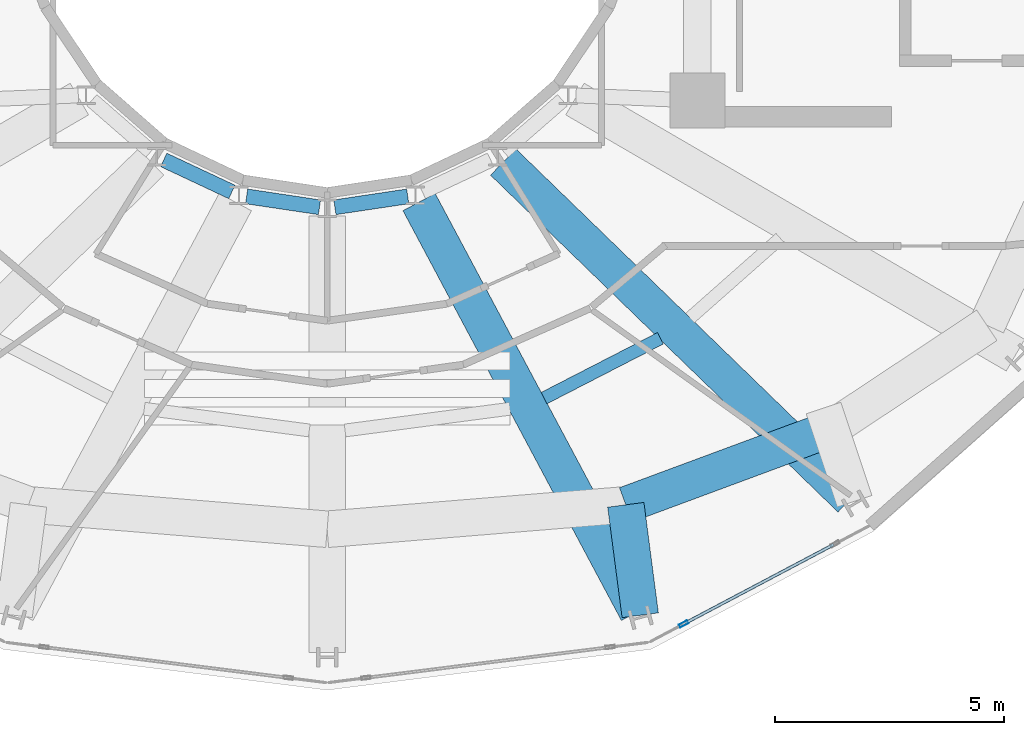
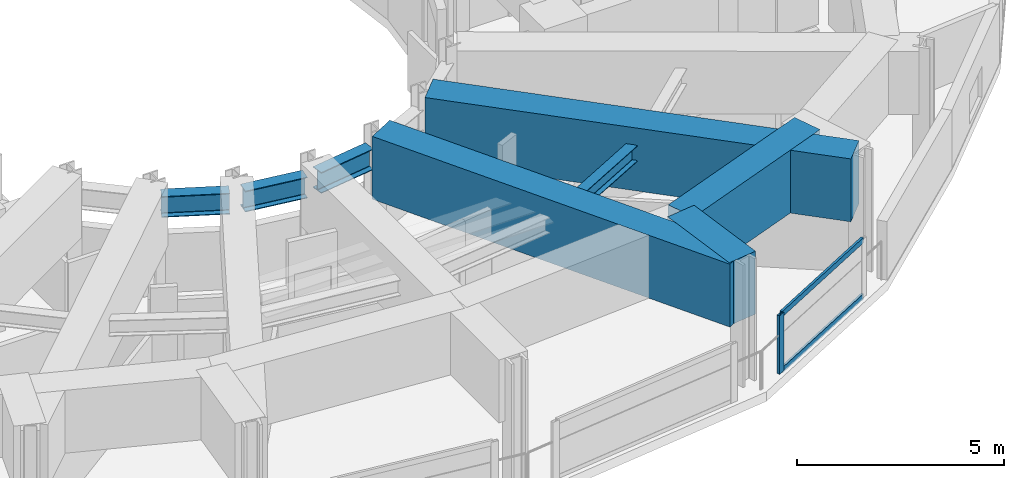
# One storey, part 5 of 21: 8 beams, 3 members, 1 element without a shape of its own.
"""IFC4 building model written with IfcOpenShell, lengths in metres."""

from ifc_helpers import new_model, si_unit, direction, frame, origin, origin_2d, place, context, subcontext, project, spatial, rectangle, hollow_rectangle, i_section, extrude, material, layer, layer_set, material_profile, profile_set, type_object, element, aggregate, save


model = new_model("IFC4")

# Units and contexts
model_context = context("Model", 3, precision=1e-05, world=origin(), true_north=direction((0.0, 1.0)))
body_context = subcontext(model_context, "Body", "Model", "MODEL_VIEW")
ifc_project = project(units=[si_unit("LENGTHUNIT", "METRE"), si_unit("AREAUNIT", "SQUARE_METRE"), si_unit("VOLUMEUNIT", "CUBIC_METRE"), si_unit("PLANEANGLEUNIT", "RADIAN"), si_unit("MASSUNIT", "GRAM", prefix="KILO")], contexts=[model_context])

# Site, building, storey
site_placement = place(None, origin())
site = spatial("IfcSite", under=ifc_project, at=site_placement, CompositionType="ELEMENT")
building_placement = place(site_placement, origin())
building = spatial("IfcBuilding", under=site, at=building_placement, Name="Solvane Sanctuary Tower", CompositionType="ELEMENT")
storey_placement = place(building_placement, frame((0.0, 0.0, 256.800048828125)))
storey = spatial("IfcBuildingStorey", under=building, at=storey_placement, Name="L78", CompositionType="ELEMENT", Elevation=256.800048828125)

# Beams
ifc_material_1 = material(Name="Steel ASTM A992 Grade 50", Category="steel")
ifc_material_profile_1 = material_profile(ifc_material_1, i_section(OverallWidth=0.324951171875, OverallDepth=0.615966796875, WebThickness=0.013916015625, FlangeThickness=0.021484375, FilletRadius=0.01611328125, at=origin_2d()), Name="W24X117")
ifc_profile_set_1 = profile_set([ifc_material_profile_1], Name="Steel ASTM A992 Grade 50")
beam_type_1 = type_object("IfcBeamType", Name="Beam B-RING-IN2 W24X117", PredefinedType="BEAM", material=ifc_profile_set_1)
beam_1_placement = place(storey_placement, frame((28.423828125, 15.60107421875, 2.7900390625), z_axis=(0.905150857291, -0.425090491008, 0.0), x_axis=(0.425090491008, 0.905150857291, 0.0)))
element("IfcBeam", 1, at=beam_1_placement, inside=storey, type_object=beam_type_1, Name="L78 Inner Light-Well Ring Beam IC09-IC10", PredefinedType="BEAM", context=body_context, shape_type="SweptSolid", body=[
    extrude(i_section(OverallWidth=0.324951171875, OverallDepth=0.615966796875, WebThickness=0.013916015625, FlangeThickness=0.021484375, FilletRadius=0.01611328125, at=origin_2d()), origin(), (0.0, 0.0, 1.0), 1.647705078125),
])
for number, where, z_axis, x_axis, name in (
    (2, (30.2373046875, 14.80322265625, 2.7900390625), (0.989039416515, -0.147651727316, 0.0), (0.147651727316, 0.989039416515, 0.0), "L78 Inner Light-Well Ring Beam IC10-IC11"),
    (3, (32.168212890625, 14.565185546875, 2.7900390625), (0.989039416515, 0.147651727316, 0.0), (-0.147651727316, 0.989039416515, 0.0), "L78 Inner Light-Well Ring Beam IC11-IC12"),
):
    element("IfcBeam", number, at=place(storey_placement, frame(where, z_axis=z_axis, x_axis=x_axis)), inside=storey, type_object=beam_type_1, Name=name, PredefinedType="BEAM", context=body_context, shape_type="SweptSolid", body=[
        extrude(i_section(OverallWidth=0.324951171875, OverallDepth=0.615966796875, WebThickness=0.013916015625, FlangeThickness=0.021484375, FilletRadius=0.01611328125, at=origin_2d()), origin(), (0.0, 0.0, 1.0), 1.612060546875),
    ])
ifc_material_profile_2 = material_profile(ifc_material_1, i_section(OverallWidth=0.280029296875, OverallDepth=0.462890625, WebThickness=0.0107421875, FlangeThickness=0.017333984375, FilletRadius=0.013916015625, at=origin_2d()), Name="W18X76")
ifc_profile_set_2 = profile_set([ifc_material_profile_2], Name="Steel ASTM A992 Grade 50")
beam_type_2 = type_object("IfcBeamType", Name="Beam B-SEC-JOIST W18X76", PredefinedType="JOIST", material=ifc_profile_set_2)
beam_2_placement = place(storey_placement, frame((36.744873046875, 10.38916015625, 2.866455078125), z_axis=(0.889218442603, 0.457482853596, 0.0), x_axis=(-0.457482853596, 0.889218442603, 0.0)))
element("IfcBeam", 4, at=beam_2_placement, inside=storey, type_object=beam_type_2, Name="L78 Secondary Circumferential Joist 12-13", PredefinedType="JOIST", context=body_context, shape_type="SweptSolid", body=[
    extrude(i_section(OverallWidth=0.280029296875, OverallDepth=0.462890625, WebThickness=0.0107421875, FlangeThickness=0.017333984375, FilletRadius=0.013916015625, at=origin_2d()), origin(), (0.0, 0.0, 1.0), 2.863525390625),
])
ifc_material_2 = material(Name="Concrete C70/85", Category="concrete")
ifc_material_profile_3 = material_profile(ifc_material_2, rectangle(XDim=0.800048828125, YDim=1.85009765625, at=origin_2d()), Name="RC800X1850")
ifc_profile_set_3 = profile_set([ifc_material_profile_3], Name="Concrete C70/85")
beam_type_3 = type_object("IfcBeamType", Name="Beam B-XFER-BLK RC800X1850", PredefinedType="BEAM", material=ifc_profile_set_3)
beam_3_placement = place(storey_placement, frame((34.0107421875, 14.67822265625, 2.675048828125), z_axis=(0.470407387529, -0.882449369515, 0.0), x_axis=(0.882449369515, 0.470407387529, 0.0)))
element("IfcBeam", 5, at=beam_3_placement, inside=storey, type_object=beam_type_3, Name="L78 Block-Shift Radial Transfer Girder 12A", PredefinedType="BEAM", context=body_context, shape_type="SweptSolid", body=[
    extrude(rectangle(XDim=0.800048828125, YDim=1.85009765625, at=origin_2d()), origin(), (0.0, 0.0, 1.0), 10.160400390625),
])
beam_4_placement = place(storey_placement, frame((38.849609375, 5.63818359375, 2.675048828125), z_axis=(-0.129531905848, 0.991575254515, 0.0), x_axis=(-0.991575254515, -0.129531905848, 0.0)))
element("IfcBeam", 6, at=beam_4_placement, inside=storey, type_object=beam_type_3, Name="L78 Block-Shift Transfer Tie 12B", PredefinedType="BEAM", context=body_context, shape_type="SweptSolid", body=[
    extrude(rectangle(XDim=0.800048828125, YDim=1.85009765625, at=origin_2d()), origin(), (0.0, 0.0, 1.0), 2.43701171875),
])
beam_5_placement = place(storey_placement, frame((35.85205078125, 15.55517578125, 2.675048828125), z_axis=(0.717927626633, -0.696117750756, 0.0), x_axis=(0.696117750756, 0.717927626633, 0.0)))
element("IfcBeam", 7, at=beam_5_placement, inside=storey, type_object=beam_type_3, Name="L78 Block-Shift Radial Transfer Girder 13A", PredefinedType="BEAM", context=body_context, shape_type="SweptSolid", body=[
    extrude(rectangle(XDim=0.800048828125, YDim=1.85009765625, at=origin_2d()), origin(), (0.0, 0.0, 1.0), 10.589599609375),
])
beam_6_placement = place(storey_placement, frame((38.533935546875, 8.0546875, 2.675048828125), z_axis=(0.937660553204, 0.347552423335, 0.0), x_axis=(-0.347552423335, 0.937660553204, 0.0)))
element("IfcBeam", 8, at=beam_6_placement, inside=storey, type_object=beam_type_3, Name="L78 Perimeter Step Transfer Ring NTC12-NTC13", PredefinedType="BEAM", context=body_context, shape_type="SweptSolid", body=[
    extrude(rectangle(XDim=0.800048828125, YDim=1.85009765625, at=origin_2d()), origin(), (0.0, 0.0, 1.0), 4.776123046875),
])

# Curtain wall, members
ifc_material_3 = material(Name="Anodised Aluminium 6063-T6", Category="aluminium")
ifc_layer = layer(ifc_material_3, 0.18994140625, Name="Anodised Aluminium 6063-T6")
ifc_layer_set = layer_set([ifc_layer], Name="Anodised Aluminium 6063-T6")
curtain_wall_type = type_object("IfcCurtainWallType", Name="Curtain Wall CW-OPER", PredefinedType="NOTDEFINED", material=ifc_layer_set)
curtain_wall_placement = place(storey_placement, origin())
curtain_wall = element("IfcCurtainWall", 9, at=curtain_wall_placement, inside=storey, type_object=curtain_wall_type, Name="L78 CW-OPER Facade Run 19", PredefinedType="NOTDEFINED")
ifc_material_profile_4 = material_profile(ifc_material_3, hollow_rectangle(XDim=0.074951171875, YDim=0.199951171875, WallThickness=0.00390625, at=origin_2d()), Name="ALU200X75X4")
ifc_profile_set_4 = profile_set([ifc_material_profile_4], Name="Anodised Aluminium 6063-T6")
member_type_1 = type_object("IfcMemberType", Name="Member M-CW-MUL-1 ALU200X75X4", PredefinedType="MULLION", material=ifc_profile_set_4)
member_1_placement = place(storey_placement, frame((39.801025390625, 5.448974609375, 0.0), z_axis=(0.0, 0.0, 1.0), x_axis=(-0.467523293544, 0.883980752049, 0.0)))
member_1 = element("IfcMember", 10, at=member_1_placement, type_object=member_type_1, Name="CW-OPER mullion 1", PredefinedType="MULLION", context=body_context, shape_type="SweptSolid", body=[
    extrude(hollow_rectangle(XDim=0.074951171875, YDim=0.199951171875, WallThickness=0.00390625, at=origin_2d()), origin(), (0.0, 0.0, 1.0), 1.719970703125),
])
ifc_material_profile_5 = material_profile(ifc_material_3, hollow_rectangle(XDim=0.06494140625, YDim=0.159912109375, WallThickness=0.00341796875, at=origin_2d()), Name="ALU160X65X3.5")
ifc_profile_set_5 = profile_set([ifc_material_profile_5], Name="Anodised Aluminium 6063-T6")
member_type_2 = type_object("IfcMemberType", Name="Member M-CW-TRN-1 ALU160X65X3.5", PredefinedType="USERDEFINED", material=ifc_profile_set_5)
member_2_placement = place(storey_placement, frame((39.834228515625, 5.466552734375, 0.032470703125), z_axis=(0.883977140568, 0.467530121975, 0.0), x_axis=(-0.467530121975, 0.883977140568, 0.0)))
member_2 = element("IfcMember", 11, at=member_2_placement, type_object=member_type_2, Name="CW-OPER transom 1.1", ObjectType="TRANSOM", PredefinedType="USERDEFINED", context=body_context, shape_type="SweptSolid", body=[
    extrude(hollow_rectangle(XDim=0.06494140625, YDim=0.159912109375, WallThickness=0.00341796875, at=origin_2d()), origin(), (0.0, 0.0, 1.0), 3.67041015625),
])
member_3_placement = place(storey_placement, frame((39.834228515625, 5.466552734375, 1.6875), z_axis=(0.883977140568, 0.467530121975, 0.0), x_axis=(-0.467530121975, 0.883977140568, 0.0)))
member_3 = element("IfcMember", 12, at=member_3_placement, type_object=member_type_2, Name="CW-OPER transom 1.2", ObjectType="TRANSOM", PredefinedType="USERDEFINED", context=body_context, shape_type="SweptSolid", body=[
    extrude(hollow_rectangle(XDim=0.06494140625, YDim=0.159912109375, WallThickness=0.00341796875, at=origin_2d()), origin(), (0.0, 0.0, 1.0), 3.67041015625),
])
aggregate(curtain_wall, [member_1, member_2, member_3])

save(model, "model.ifc")
